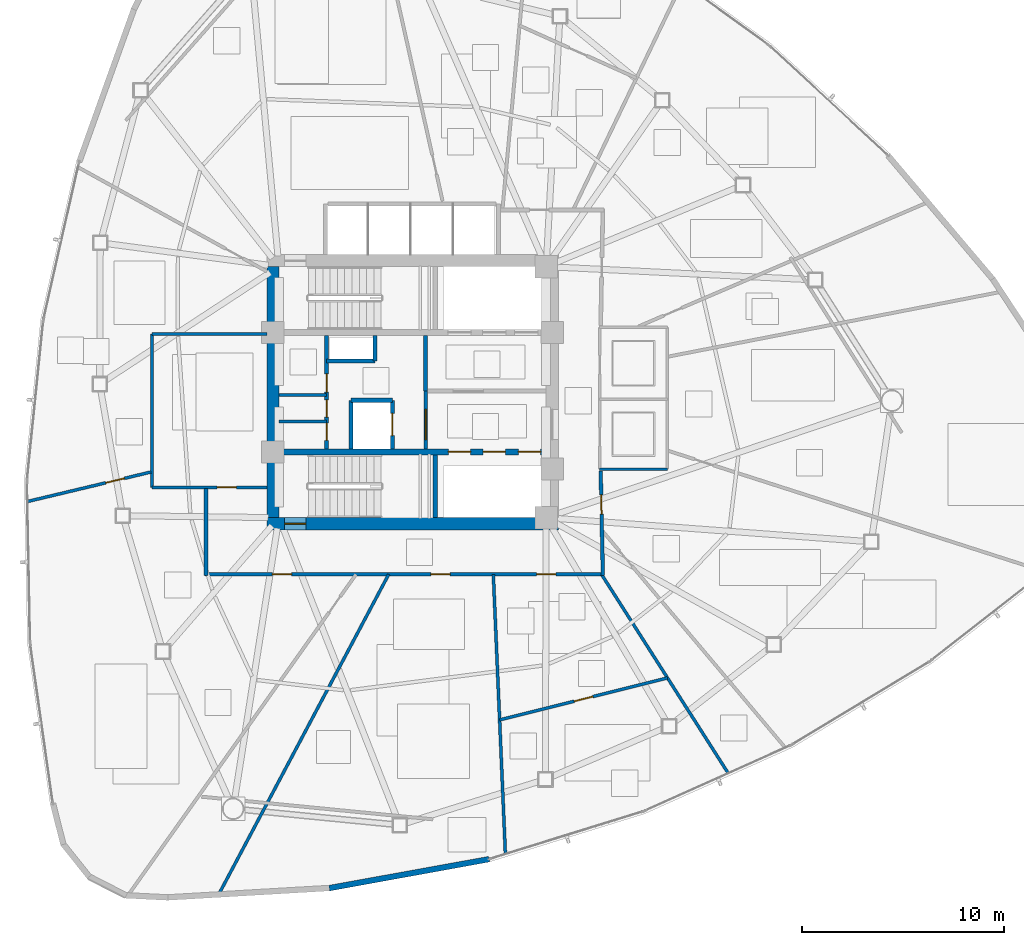
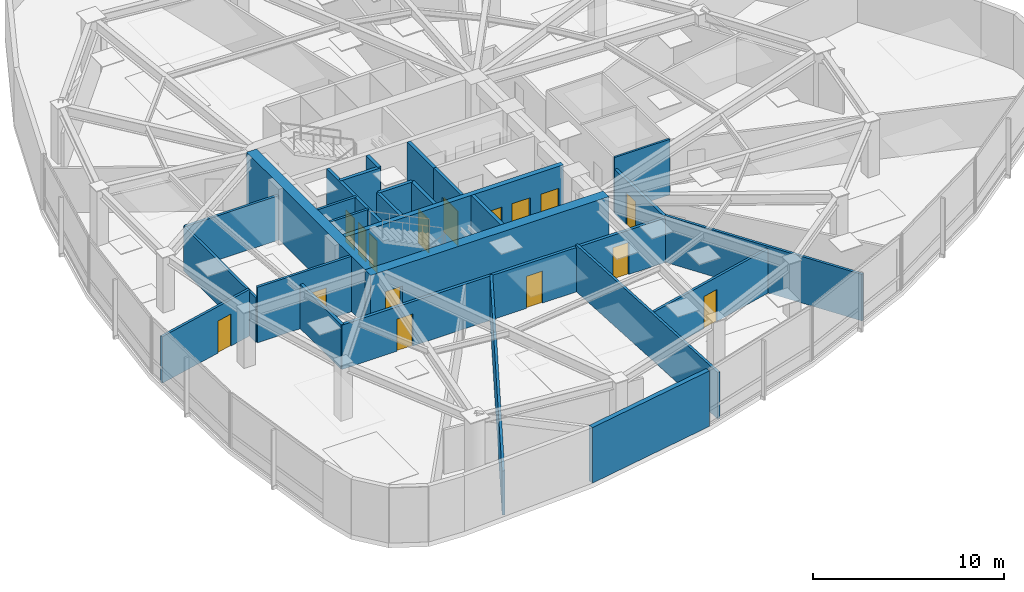
# One storey, part 11 of 17: 27 walls, 16 doors, 16 openings.
"""IFC4 building model written with IfcOpenShell, lengths in metres."""

from ifc_helpers import new_model, si_unit, direction, frame, frame_2d, origin, place, context, subcontext, project, spatial, rectangle, extrude, material, layer, layer_set, type_object, element, fill, save


model = new_model("IFC4")

# Units and contexts
model_context = context("Model", 3, precision=1e-05, world=origin(), true_north=direction((0.0, 1.0)))
body_context = subcontext(model_context, "Body", "Model", "MODEL_VIEW")
ifc_project = project(units=[si_unit("LENGTHUNIT", "METRE"), si_unit("AREAUNIT", "SQUARE_METRE"), si_unit("VOLUMEUNIT", "CUBIC_METRE"), si_unit("PLANEANGLEUNIT", "RADIAN"), si_unit("MASSUNIT", "GRAM", prefix="KILO")], contexts=[model_context])

# Site, building, storey
site_placement = place(None, origin())
site = spatial("IfcSite", under=ifc_project, at=site_placement, CompositionType="ELEMENT")
building_placement = place(site_placement, origin())
building = spatial("IfcBuilding", under=site, at=building_placement, Name="Tavelor Broadcast Tower", CompositionType="ELEMENT")
storey_placement = place(building_placement, frame((0.0, 0.0, 119.449951171875)))
storey = spatial("IfcBuildingStorey", under=building, at=storey_placement, Name="L27", CompositionType="ELEMENT", Elevation=119.449951171875)

# Wall, opening, door
ifc_material_1 = material(Name="Concrete C60/75", Category="concrete")
ifc_layer_1 = layer(ifc_material_1, 0.60009765625)
ifc_layer_set_1 = layer_set([ifc_layer_1], Name="Concrete C60/75")
wall_type_1 = type_object("IfcWallType", Name="Core Shear Wall 600 mm", PredefinedType="SHEAR", material=ifc_layer_set_1)
wall_1_placement = place(storey_placement, frame((42.800048828125, 38.5, 0.0), z_axis=(0.0, 0.0, 1.0), x_axis=(1.0, 0.0, 0.0)))
wall_1 = element("IfcWall", 1, at=wall_1_placement, inside=storey, type_object=wall_type_1, Name="L27 Central Core Shear Wall S", PredefinedType="SHEAR", context=body_context, shape_type="SweptSolid", body=[
    extrude(rectangle(XDim=14.39990234375, YDim=0.60009765625, at=frame_2d((7.199951171875, 0.0))), origin(), (0.0, 0.0, 1.0), 3.550048828125),
])
opening_1_placement = place(wall_1_placement, frame((0.8798828125, 0.0, 0.0)))
opening_1 = element("IfcOpeningElement", 2, at=opening_1_placement, cuts=wall_1, Name="Opening DR11", PredefinedType="OPENING", context=body_context, shape_type="SweptSolid", body=[
    extrude(rectangle(XDim=1.050048828125, YDim=2.199951171875, at=frame_2d((0.52490234375, 1.10009765625))), frame((0.0, 0.31005859375, 0.0), z_axis=(0.0, -1.0, 0.0), x_axis=(1.0, 0.0, 0.0)), (0.0, 0.0, 1.0), 0.6201171875),
])
ifc_material_2 = material(Name="Steel S355", Category="steel")
door_type_1 = type_object("IfcDoorType", Name="Stair Core Fire Escape Door 1050x2200", OperationType="NOTDEFINED", PredefinedType="DOOR", material=ifc_material_2)
door_1_placement = place(opening_1_placement, origin())
door_1 = element("IfcDoor", 3, at=door_1_placement, inside=storey, type_object=door_type_1, Name="L27 Stair ST2 Protected Exit Door", OperationType="SINGLE_SWING_RIGHT", OverallHeight=2.199951171875, OverallWidth=1.050048828125, PredefinedType="DOOR", context=body_context, shape_type="SweptSolid", body=[
    extrude(rectangle(XDim=1.050048828125, YDim=2.199951171875, at=frame_2d((0.52490234375, 1.10009765625))), frame((0.0, 0.02490234375, 0.0), z_axis=(0.0, -1.0, 0.0), x_axis=(1.0, 0.0, 0.0)), (0.0, 0.0, 1.0), 0.050048828125),
])
fill(opening_1, door_1)

# Wall
wall_2_placement = place(storey_placement, frame((43.10009765625, 38.800048828125, 0.0), z_axis=(0.0, 0.0, 1.0), x_axis=(0.0, 1.0, 0.0)))
element("IfcWall", 4, at=wall_2_placement, inside=storey, type_object=wall_type_1, Name="L27 Central Core Shear Wall W", PredefinedType="SHEAR", context=body_context, shape_type="SweptSolid", body=[
    extrude(rectangle(XDim=12.39990234375, YDim=0.60009765625, at=frame_2d((6.199951171875, 0.0))), origin(), (0.0, 0.0, 1.0), 3.550048828125),
])

# Wall, openings, doors
ifc_layer_2 = layer(ifc_material_1, 0.300048828125)
ifc_layer_set_2 = layer_set([ifc_layer_2], Name="Concrete C60/75")
wall_type_2 = type_object("IfcWallType", Name="Core Spine Shear Wall 300 mm C60", PredefinedType="SHEAR", material=ifc_layer_set_2)
wall_3_placement = place(storey_placement, frame((43.39990234375, 42.050048828125, 0.0), z_axis=(0.0, 0.0, 1.0), x_axis=(1.0, 0.0, 0.0)))
wall_3 = element("IfcWall", 5, at=wall_3_placement, inside=storey, type_object=wall_type_2, Name="L27 Central Core Shear Wall SP2", PredefinedType="SHEAR", context=body_context, shape_type="SweptSolid", body=[
    extrude(rectangle(XDim=13.2001953125, YDim=0.300048828125, at=frame_2d((6.60009765625, 0.0))), origin(), (0.0, 0.0, 1.0), 3.550048828125),
])
opening_2_placement = place(wall_3_placement, frame((8.3701171875, 0.0, 0.0)))
opening_2 = element("IfcOpeningElement", 6, at=opening_2_placement, cuts=wall_3, Name="Opening LD01", PredefinedType="OPENING", context=body_context, shape_type="SweptSolid", body=[
    extrude(rectangle(XDim=1.10009765625, YDim=2.14990234375, at=frame_2d((0.550048828125, 1.074951171875))), frame((0.0, 0.16015625, 0.0), z_axis=(0.0, -1.0, 0.0), x_axis=(1.0, 0.0, 0.0)), (0.0, 0.0, 1.0), 0.320068359375),
])
opening_3_placement = place(wall_3_placement, frame((10.090087890625, 0.0, 0.0)))
opening_3 = element("IfcOpeningElement", 7, at=opening_3_placement, cuts=wall_3, Name="Opening LD01", PredefinedType="OPENING", context=body_context, shape_type="SweptSolid", body=[
    extrude(rectangle(XDim=1.10009765625, YDim=2.14990234375, at=frame_2d((0.550048828125, 1.074951171875))), frame((0.0, 0.16015625, 0.0), z_axis=(0.0, -1.0, 0.0), x_axis=(1.0, 0.0, 0.0)), (0.0, 0.0, 1.0), 0.320068359375),
])
opening_4_placement = place(wall_3_placement, frame((11.830078125, 0.0, 0.0)))
opening_4 = element("IfcOpeningElement", 8, at=opening_4_placement, cuts=wall_3, Name="Opening LD01", PredefinedType="OPENING", context=body_context, shape_type="SweptSolid", body=[
    extrude(rectangle(XDim=1.10009765625, YDim=2.14990234375, at=frame_2d((0.550048828125, 1.074951171875))), frame((0.0, 0.16015625, 0.0), z_axis=(0.0, -1.0, 0.0), x_axis=(1.0, 0.0, 0.0)), (0.0, 0.0, 1.0), 0.320068359375),
])
ifc_material_3 = material(Name="Brushed Stainless Steel", Category="steel")
door_type_2 = type_object("IfcDoorType", Name="Passenger Lift Sliding Landing Door 1100x2150", OperationType="NOTDEFINED", PredefinedType="DOOR", material=ifc_material_3)
door_2_placement = place(opening_2_placement, origin())
door_2 = element("IfcDoor", 9, at=door_2_placement, inside=storey, type_object=door_type_2, Name="L27 Lift PLM1 Sliding Landing Door", OperationType="SLIDING_TO_LEFT", OverallHeight=2.14990234375, OverallWidth=1.10009765625, PredefinedType="DOOR", context=body_context, shape_type="SweptSolid", body=[
    extrude(rectangle(XDim=1.10009765625, YDim=2.14990234375, at=frame_2d((0.550048828125, 1.074951171875))), frame((0.0, 0.02490234375, 0.0), z_axis=(0.0, -1.0, 0.0), x_axis=(1.0, 0.0, 0.0)), (0.0, 0.0, 1.0), 0.050048828125),
])
fill(opening_2, door_2)
door_3_placement = place(opening_3_placement, origin())
door_3 = element("IfcDoor", 10, at=door_3_placement, inside=storey, type_object=door_type_2, Name="L27 Lift PLM2 Sliding Landing Door", OperationType="SLIDING_TO_LEFT", OverallHeight=2.14990234375, OverallWidth=1.10009765625, PredefinedType="DOOR", context=body_context, shape_type="SweptSolid", body=[
    extrude(rectangle(XDim=1.10009765625, YDim=2.14990234375, at=frame_2d((0.550048828125, 1.074951171875))), frame((0.0, 0.02490234375, 0.0), z_axis=(0.0, -1.0, 0.0), x_axis=(1.0, 0.0, 0.0)), (0.0, 0.0, 1.0), 0.050048828125),
])
fill(opening_3, door_3)
door_4_placement = place(opening_4_placement, origin())
door_4 = element("IfcDoor", 11, at=door_4_placement, inside=storey, type_object=door_type_2, Name="L27 Lift PLM3 Sliding Landing Door", OperationType="SLIDING_TO_LEFT", OverallHeight=2.14990234375, OverallWidth=1.10009765625, PredefinedType="DOOR", context=body_context, shape_type="SweptSolid", body=[
    extrude(rectangle(XDim=1.10009765625, YDim=2.14990234375, at=frame_2d((0.550048828125, 1.074951171875))), frame((0.0, 0.02490234375, 0.0), z_axis=(0.0, -1.0, 0.0), x_axis=(1.0, 0.0, 0.0)), (0.0, 0.0, 1.0), 0.050048828125),
])
fill(opening_4, door_4)

# Wall, opening, door
ifc_material_4 = material(Name="Calcium Silicate Fire Board 180 mm", Category="gypsum")
ifc_layer_3 = layer(ifc_material_4, 0.179931640625)
ifc_layer_set_3 = layer_set([ifc_layer_3], Name="Calcium Silicate Fire Board 180 mm")
wall_type_3 = type_object("IfcWallType", Name="Fire-Rated Corridor Partition Wall 180 mm", PredefinedType="PARTITIONING", material=ifc_layer_set_3)
wall_4_placement = place(storey_placement, frame((50.64990234375, 42.199951171875, 0.0), z_axis=(0.0, 0.0, 1.0), x_axis=(0.0, 1.0, 0.0)))
wall_4 = element("IfcWall", 12, at=wall_4_placement, inside=storey, type_object=wall_type_3, Name="L27 Core Lobby Zoning Wall", PredefinedType="PARTITIONING", context=body_context, shape_type="SweptSolid", body=[
    extrude(rectangle(XDim=2.85009765625, YDim=0.179931640625, at=frame_2d((1.425048828125, 0.0))), origin(), (0.0, 0.0, 1.0), 3.550048828125),
])
opening_5_placement = place(wall_4_placement, frame((0.449951171875, 0.0, 0.0)))
opening_5 = element("IfcOpeningElement", 13, at=opening_5_placement, cuts=wall_4, Name="Opening DR14", PredefinedType="OPENING", context=body_context, shape_type="SweptSolid", body=[
    extrude(rectangle(XDim=1.5, YDim=2.199951171875, at=frame_2d((0.75, 1.10009765625))), frame((0.0, 0.10009765625, 0.0), z_axis=(0.0, -1.0, 0.0), x_axis=(1.0, 0.0, 0.0)), (0.0, 0.0, 1.0), 0.199951171875),
])
door_type_3 = type_object("IfcDoorType", Name="Firefighting Lobby Double Fire Door 1500x2200", OperationType="NOTDEFINED", PredefinedType="DOOR", material=ifc_material_2)
door_5_placement = place(opening_5_placement, origin())
door_5 = element("IfcDoor", 14, at=door_5_placement, inside=storey, type_object=door_type_3, Name="L27 Core West Lobby Double Fire Door", OperationType="SINGLE_SWING_RIGHT", OverallHeight=2.199951171875, OverallWidth=1.5, PredefinedType="DOOR", context=body_context, shape_type="SweptSolid", body=[
    extrude(rectangle(XDim=1.5, YDim=2.199951171875, at=frame_2d((0.75, 1.10009765625))), frame((0.0, 0.02490234375, 0.0), z_axis=(0.0, -1.0, 0.0), x_axis=(1.0, 0.0, 0.0)), (0.0, 0.0, 1.0), 0.050048828125),
])
fill(opening_5, door_5)

# Wall, openings, doors
wall_5_placement = place(storey_placement, frame((45.75, 42.199951171875, 0.0), z_axis=(0.0, 0.0, 1.0), x_axis=(0.0, 1.0, 0.0)))
wall_5 = element("IfcWall", 15, at=wall_5_placement, inside=storey, type_object=wall_type_3, Name="L27 Core West Service East Wall", PredefinedType="PARTITIONING", context=body_context, shape_type="SweptSolid", body=[
    extrude(rectangle(XDim=5.60009765625, YDim=0.179931640625, at=frame_2d((2.800048828125, 0.0))), origin(), (0.0, 0.0, 1.0), 3.550048828125),
])
opening_6_placement = place(wall_5_placement, frame((0.419921875, 0.0, 0.0)))
opening_6 = element("IfcOpeningElement", 16, at=opening_6_placement, cuts=wall_5, Name="Opening DR36", PredefinedType="OPENING", context=body_context, shape_type="SweptSolid", body=[
    extrude(rectangle(XDim=0.85009765625, YDim=2.050048828125, at=frame_2d((0.425048828125, 1.02490234375))), frame((0.0, 0.10009765625, 0.0), z_axis=(0.0, -1.0, 0.0), x_axis=(1.0, 0.0, 0.0)), (0.0, 0.0, 1.0), 0.199951171875),
])
opening_7_placement = place(wall_5_placement, frame((1.570068359375, 0.0, 0.0)))
opening_7 = element("IfcOpeningElement", 17, at=opening_7_placement, cuts=wall_5, Name="Opening DR36", PredefinedType="OPENING", context=body_context, shape_type="SweptSolid", body=[
    extrude(rectangle(XDim=0.85009765625, YDim=2.050048828125, at=frame_2d((0.425048828125, 1.02490234375))), frame((0.0, 0.10009765625, 0.0), z_axis=(0.0, -1.0, 0.0), x_axis=(1.0, 0.0, 0.0)), (0.0, 0.0, 1.0), 0.199951171875),
])
opening_8_placement = place(wall_5_placement, frame((2.800048828125, 0.0, 0.0)))
opening_8 = element("IfcOpeningElement", 18, at=opening_8_placement, cuts=wall_5, Name="Opening DR32", PredefinedType="OPENING", context=body_context, shape_type="SweptSolid", body=[
    extrude(rectangle(XDim=0.89990234375, YDim=2.050048828125, at=frame_2d((0.449951171875, 1.02490234375))), frame((0.0, 0.10009765625, 0.0), z_axis=(0.0, -1.0, 0.0), x_axis=(1.0, 0.0, 0.0)), (0.0, 0.0, 1.0), 0.199951171875),
])
ifc_material_5 = material(Name="Timber Solid Core Hardwood", Category="wood")
door_type_4 = type_object("IfcDoorType", Name="Accessible Washroom Door 900x2050", OperationType="NOTDEFINED", PredefinedType="DOOR", material=ifc_material_5)
door_6_placement = place(opening_8_placement, origin())
door_6 = element("IfcDoor", 19, at=door_6_placement, inside=storey, type_object=door_type_4, Name="L27 Core Accessible WC Door", OperationType="SINGLE_SWING_LEFT", OverallHeight=2.050048828125, OverallWidth=0.89990234375, PredefinedType="DOOR", context=body_context, shape_type="SweptSolid", body=[
    extrude(rectangle(XDim=0.89990234375, YDim=2.050048828125, at=frame_2d((0.449951171875, 1.02490234375))), frame((0.0, 0.02490234375, 0.0), z_axis=(0.0, -1.0, 0.0), x_axis=(1.0, 0.0, 0.0)), (0.0, 0.0, 1.0), 0.050048828125),
])
fill(opening_8, door_6)
door_type_5 = type_object("IfcDoorType", Name="Service Room Fire Door 850x2050", OperationType="NOTDEFINED", PredefinedType="DOOR", material=ifc_material_2)
door_7_placement = place(opening_6_placement, origin())
door_7 = element("IfcDoor", 20, at=door_7_placement, inside=storey, type_object=door_type_5, Name="L27 Core Medical Room Door", OperationType="SINGLE_SWING_LEFT", OverallHeight=2.050048828125, OverallWidth=0.85009765625, PredefinedType="DOOR", context=body_context, shape_type="SweptSolid", body=[
    extrude(rectangle(XDim=0.85009765625, YDim=2.050048828125, at=frame_2d((0.425048828125, 1.02490234375))), frame((0.0, 0.02490234375, 0.0), z_axis=(0.0, -1.0, 0.0), x_axis=(1.0, 0.0, 0.0)), (0.0, 0.0, 1.0), 0.050048828125),
])
fill(opening_6, door_7)
door_8_placement = place(opening_7_placement, origin())
door_8 = element("IfcDoor", 21, at=door_8_placement, inside=storey, type_object=door_type_5, Name="L27 Core Copy Room Door", OperationType="SINGLE_SWING_RIGHT", OverallHeight=2.050048828125, OverallWidth=0.85009765625, PredefinedType="DOOR", context=body_context, shape_type="SweptSolid", body=[
    extrude(rectangle(XDim=0.85009765625, YDim=2.050048828125, at=frame_2d((0.425048828125, 1.02490234375))), frame((0.0, 0.02490234375, 0.0), z_axis=(0.0, -1.0, 0.0), x_axis=(1.0, 0.0, 0.0)), (0.0, 0.0, 1.0), 0.050048828125),
])
fill(opening_7, door_8)

# Wall, opening, door
wall_6_placement = place(storey_placement, frame((59.291015625, 41.10009765625, 0.0), z_axis=(0.0, 0.0, 1.0), x_axis=(0.021374589398, -0.999771537366, 0.0)))
wall_6 = element("IfcWall", 22, at=wall_6_placement, inside=storey, type_object=wall_type_3, Name="L27 Corridor Compartment Wall 03", PredefinedType="PARTITIONING", context=body_context, shape_type="SweptSolid", body=[
    extrude(rectangle(XDim=5.1513671875, YDim=0.179931640625, at=frame_2d((2.57568359375, 0.0))), origin(), (0.0, 0.0, 1.0), 2.8349609375),
])
opening_9_placement = place(wall_6_placement, frame((1.17529296875, 0.0, 0.0)))
opening_9 = element("IfcOpeningElement", 23, at=opening_9_placement, cuts=wall_6, Name="Opening DR18", PredefinedType="OPENING", context=body_context, shape_type="SweptSolid", body=[
    extrude(rectangle(XDim=0.949951171875, YDim=2.050048828125, at=frame_2d((0.47509765625, 1.02490234375))), frame((0.0, 0.10009765625, 0.0), z_axis=(0.0, -1.0, 0.0), x_axis=(1.0, 0.0, 0.0)), (0.0, 0.0, 1.0), 0.199951171875),
])
door_type_6 = type_object("IfcDoorType", Name="Corridor Rated Compartment Door 950x2050", OperationType="NOTDEFINED", PredefinedType="DOOR", material=ifc_material_5)
door_9_placement = place(opening_9_placement, origin())
door_9 = element("IfcDoor", 24, at=door_9_placement, inside=storey, type_object=door_type_6, Name="L27 International Bureau Office Door R0", OperationType="SINGLE_SWING_RIGHT", OverallHeight=2.050048828125, OverallWidth=0.949951171875, PredefinedType="DOOR", context=body_context, shape_type="SweptSolid", body=[
    extrude(rectangle(XDim=0.949951171875, YDim=2.050048828125, at=frame_2d((0.47509765625, 1.02490234375))), frame((0.0, 0.02490234375, 0.0), z_axis=(0.0, -1.0, 0.0), x_axis=(1.0, 0.0, 0.0)), (0.0, 0.0, 1.0), 0.050048828125),
])
fill(opening_9, door_9)

# Wall, openings, doors
wall_7_placement = place(storey_placement, frame((59.449951171875, 36.0, 0.0), z_axis=(0.0, 0.0, 1.0), x_axis=(-1.0, 0.0, 0.0)))
wall_7 = element("IfcWall", 25, at=wall_7_placement, inside=storey, type_object=wall_type_3, Name="L27 Corridor Compartment Wall 04", PredefinedType="PARTITIONING", context=body_context, shape_type="SweptSolid", body=[
    extrude(rectangle(XDim=19.699951171875, YDim=0.179931640625, at=frame_2d((9.85009765625, 0.0))), origin(), (0.0, 0.0, 1.0), 2.8349609375),
])
opening_10_placement = place(wall_7_placement, frame((2.37109375, 0.0, 0.0)))
opening_10 = element("IfcOpeningElement", 26, at=opening_10_placement, cuts=wall_7, Name="Opening DR18", PredefinedType="OPENING", context=body_context, shape_type="SweptSolid", body=[
    extrude(rectangle(XDim=0.949951171875, YDim=2.050048828125, at=frame_2d((0.47509765625, 1.02490234375))), frame((0.0, 0.10009765625, 0.0), z_axis=(0.0, -1.0, 0.0), x_axis=(1.0, 0.0, 0.0)), (0.0, 0.0, 1.0), 0.199951171875),
])
opening_11_placement = place(wall_7_placement, frame((7.59130859375, 0.0, 0.0)))
opening_11 = element("IfcOpeningElement", 27, at=opening_11_placement, cuts=wall_7, Name="Opening DR18", PredefinedType="OPENING", context=body_context, shape_type="SweptSolid", body=[
    extrude(rectangle(XDim=0.949951171875, YDim=2.050048828125, at=frame_2d((0.47509765625, 1.02490234375))), frame((0.0, 0.10009765625, 0.0), z_axis=(0.0, -1.0, 0.0), x_axis=(1.0, 0.0, 0.0)), (0.0, 0.0, 1.0), 0.199951171875),
])
opening_12_placement = place(wall_7_placement, frame((15.426513671875, 0.0, 0.0)))
opening_12 = element("IfcOpeningElement", 28, at=opening_12_placement, cuts=wall_7, Name="Opening DR18", PredefinedType="OPENING", context=body_context, shape_type="SweptSolid", body=[
    extrude(rectangle(XDim=0.949951171875, YDim=2.050048828125, at=frame_2d((0.47509765625, 1.02490234375))), frame((0.0, 0.10009765625, 0.0), z_axis=(0.0, -1.0, 0.0), x_axis=(1.0, 0.0, 0.0)), (0.0, 0.0, 1.0), 0.199951171875),
])
door_10_placement = place(opening_10_placement, origin())
door_10 = element("IfcDoor", 29, at=door_10_placement, inside=storey, type_object=door_type_6, Name="L27 Sound Foley Studio Door R13", OperationType="SINGLE_SWING_LEFT", OverallHeight=2.050048828125, OverallWidth=0.949951171875, PredefinedType="DOOR", context=body_context, shape_type="SweptSolid", body=[
    extrude(rectangle(XDim=0.949951171875, YDim=2.050048828125, at=frame_2d((0.47509765625, 1.02490234375))), frame((0.0, 0.02490234375, 0.0), z_axis=(0.0, -1.0, 0.0), x_axis=(1.0, 0.0, 0.0)), (0.0, 0.0, 1.0), 0.050048828125),
])
fill(opening_10, door_10)
door_11_placement = place(opening_11_placement, origin())
door_11 = element("IfcDoor", 30, at=door_11_placement, inside=storey, type_object=door_type_6, Name="L27 Broadcast Editorial Office Door R3", OperationType="SINGLE_SWING_RIGHT", OverallHeight=2.050048828125, OverallWidth=0.949951171875, PredefinedType="DOOR", context=body_context, shape_type="SweptSolid", body=[
    extrude(rectangle(XDim=0.949951171875, YDim=2.050048828125, at=frame_2d((0.47509765625, 1.02490234375))), frame((0.0, 0.02490234375, 0.0), z_axis=(0.0, -1.0, 0.0), x_axis=(1.0, 0.0, 0.0)), (0.0, 0.0, 1.0), 0.050048828125),
])
fill(opening_11, door_11)
door_12_placement = place(opening_12_placement, origin())
door_12 = element("IfcDoor", 31, at=door_12_placement, inside=storey, type_object=door_type_6, Name="L27 Syndication Legal Office Door R5", OperationType="SINGLE_SWING_LEFT", OverallHeight=2.050048828125, OverallWidth=0.949951171875, PredefinedType="DOOR", context=body_context, shape_type="SweptSolid", body=[
    extrude(rectangle(XDim=0.949951171875, YDim=2.050048828125, at=frame_2d((0.47509765625, 1.02490234375))), frame((0.0, 0.02490234375, 0.0), z_axis=(0.0, -1.0, 0.0), x_axis=(1.0, 0.0, 0.0)), (0.0, 0.0, 1.0), 0.050048828125),
])
fill(opening_12, door_12)

# Walls
wall_8_placement = place(storey_placement, frame((39.800048828125, 35.949951171875, 0.0), z_axis=(0.0, 0.0, 1.0), x_axis=(0.0, 1.0, 0.0)))
element("IfcWall", 32, at=wall_8_placement, inside=storey, type_object=wall_type_3, Name="L27 Corridor Compartment Wall 05", PredefinedType="PARTITIONING", context=body_context, shape_type="SweptSolid", body=[
    extrude(rectangle(XDim=4.300048828125, YDim=0.179931640625, at=frame_2d((2.14990234375, 0.0))), origin(), (0.0, 0.0, 1.0), 2.8349609375),
])
ifc_material_6 = material(Name="Precast Concrete C40/50", Category="concrete")
ifc_layer_4 = layer(ifc_material_6, 0.280029296875)
ifc_layer_set_4 = layer_set([ifc_layer_4], Name="Precast Concrete C40/50")
wall_type_4 = type_object("IfcWallType", Name="Insulated Precast Terracotta Facade Wall 280 mm", PredefinedType="STANDARD", material=ifc_layer_set_4)
wall_9_placement = place(storey_placement, frame((45.88525390625, 20.502685546875, 0.0), z_axis=(0.0, 0.0, 1.0), x_axis=(0.983967624079, 0.178347174812, 0.0)))
element("IfcWall", 33, at=wall_9_placement, inside=storey, type_object=wall_type_4, Name="L27 Rounded Corner Structural Cladding Pier 16", PredefinedType="STANDARD", context=body_context, shape_type="SweptSolid", body=[
    extrude(rectangle(XDim=8.023193359375, YDim=0.280029296875, at=frame_2d((4.01171875, 0.0))), origin(), (0.0, 0.0, 1.0), 3.550048828125),
])
ifc_material_7 = material(Name="Gypsum Acoustic Plasterboard 150 mm", Category="gypsum")
ifc_layer_5 = layer(ifc_material_7, 0.14990234375)
ifc_layer_set_5 = layer_set([ifc_layer_5], Name="Gypsum Acoustic Plasterboard 150 mm")
wall_type_5 = type_object("IfcWallType", Name="Interior Acoustic Partition Wall 150 mm", PredefinedType="PARTITIONING", material=ifc_layer_set_5)
for number, where, z_axis, x_axis, name in (
    (34, (43.39990234375, 43.550048828125, 0.0), (0.0, 0.0, 1.0), (1.0, 0.0, 0.0), "L27 Core Split Wall B1"),
    (35, (43.39990234375, 44.85009765625, 0.0), (0.0, 0.0, 1.0), (1.0, 0.0, 0.0), "L27 Core Split Wall B2"),
):
    element("IfcWall", number, at=place(storey_placement, frame(where, z_axis=z_axis, x_axis=x_axis)), inside=storey, type_object=wall_type_5, Name=name, PredefinedType="PARTITIONING", context=body_context, shape_type="SweptSolid", body=[
        extrude(rectangle(XDim=2.35009765625, YDim=0.14990234375, at=frame_2d((1.175048828125, 0.0))), origin(), (0.0, 0.0, 1.0), 3.550048828125),
    ])

# Wall, opening, door
wall_10_placement = place(storey_placement, frame((37.139892578125, 40.300048828125, 0.0), z_axis=(0.0, 0.0, 1.0), x_axis=(1.0, 0.0, 0.0)))
wall_10 = element("IfcWall", 36, at=wall_10_placement, inside=storey, type_object=wall_type_5, Name="L27 Reclaimed Shaft Pantry South Wall", PredefinedType="PARTITIONING", context=body_context, shape_type="SweptSolid", body=[
    extrude(rectangle(XDim=5.66015625, YDim=0.14990234375, at=frame_2d((2.830078125, 0.0))), origin(), (0.0, 0.0, 1.0), 3.550048828125),
])
opening_13_placement = place(wall_10_placement, frame((3.2099609375, 0.0, 0.0)))
opening_13 = element("IfcOpeningElement", 37, at=opening_13_placement, cuts=wall_10, Name="Opening DR18", PredefinedType="OPENING", context=body_context, shape_type="SweptSolid", body=[
    extrude(rectangle(XDim=0.949951171875, YDim=2.050048828125, at=frame_2d((0.47509765625, 1.02490234375))), frame((0.0, 0.0849609375, 0.0), z_axis=(0.0, -1.0, 0.0), x_axis=(1.0, 0.0, 0.0)), (0.0, 0.0, 1.0), 0.169921875),
])
door_13_placement = place(opening_13_placement, origin())
door_13 = element("IfcDoor", 38, at=door_13_placement, inside=storey, type_object=door_type_6, Name="L27 Broadcast IT Patch and Pantry Door", OperationType="SINGLE_SWING_LEFT", OverallHeight=2.050048828125, OverallWidth=0.949951171875, PredefinedType="DOOR", context=body_context, shape_type="SweptSolid", body=[
    extrude(rectangle(XDim=0.949951171875, YDim=2.050048828125, at=frame_2d((0.47509765625, 1.02490234375))), frame((0.0, 0.02490234375, 0.0), z_axis=(0.0, -1.0, 0.0), x_axis=(1.0, 0.0, 0.0)), (0.0, 0.0, 1.0), 0.050048828125),
])
fill(opening_13, door_13)

# Walls
wall_11_placement = place(storey_placement, frame((37.139892578125, 40.300048828125, 0.0), z_axis=(0.0, 0.0, 1.0), x_axis=(0.0, 1.0, 0.0)))
element("IfcWall", 39, at=wall_11_placement, inside=storey, type_object=wall_type_5, Name="L27 Reclaimed Shaft Pantry West Wall", PredefinedType="PARTITIONING", context=body_context, shape_type="SweptSolid", body=[
    extrude(rectangle(XDim=7.579833984375, YDim=0.14990234375, at=frame_2d((3.7900390625, 0.0))), origin(), (0.0, 0.0, 1.0), 2.8349609375),
])
wall_12_placement = place(storey_placement, frame((37.139892578125, 47.8798828125, 0.0), z_axis=(0.0, 0.0, 1.0), x_axis=(1.0, 0.0, 0.0)))
element("IfcWall", 40, at=wall_12_placement, inside=storey, type_object=wall_type_5, Name="L27 Reclaimed Shaft Pantry North Wall", PredefinedType="PARTITIONING", context=body_context, shape_type="SweptSolid", body=[
    extrude(rectangle(XDim=5.66015625, YDim=0.14990234375, at=frame_2d((2.830078125, 0.0))), origin(), (0.0, 0.0, 1.0), 2.8349609375),
])
wall_13_placement = place(storey_placement, frame((59.33349609375, 36.0, 0.0), z_axis=(0.0, 0.0, 1.0), x_axis=(0.537304943351, -0.843388047017, 0.0)))
element("IfcWall", 41, at=wall_13_placement, inside=storey, type_object=wall_type_5, Name="L27 Radial Compartment Wall 01", PredefinedType="PARTITIONING", context=body_context, shape_type="SweptSolid", body=[
    extrude(rectangle(XDim=11.658935546875, YDim=0.14990234375, at=frame_2d((5.82958984375, 0.0))), origin(), (0.0, 0.0, 1.0), 2.97509765625),
])

# Wall, opening, door
wall_14_placement = place(storey_placement, frame((37.080078125, 41.055419921875, 0.0), z_axis=(0.0, 0.0, 1.0), x_axis=(-0.972661487663, -0.23222754018, 0.0)))
wall_14 = element("IfcWall", 42, at=wall_14_placement, inside=storey, type_object=wall_type_5, Name="L27 Radial Compartment Wall 10", PredefinedType="PARTITIONING", context=body_context, shape_type="SweptSolid", body=[
    extrude(rectangle(XDim=6.288818359375, YDim=0.14990234375, at=frame_2d((3.14453125, 0.0))), origin(), (0.0, 0.0, 1.0), 2.97509765625),
])
opening_14_placement = place(wall_14_placement, frame((1.35009765625, 0.0, 0.0)))
opening_14 = element("IfcOpeningElement", 43, at=opening_14_placement, cuts=wall_14, Name="Opening DR18", PredefinedType="OPENING", context=body_context, shape_type="SweptSolid", body=[
    extrude(rectangle(XDim=0.949951171875, YDim=2.050048828125, at=frame_2d((0.47509765625, 1.02490234375))), frame((0.0, 0.0849609375, 0.0), z_axis=(0.0, -1.0, 0.0), x_axis=(1.0, 0.0, 0.0)), (0.0, 0.0, 1.0), 0.169921875),
])
door_14_placement = place(opening_14_placement, origin())
door_14 = element("IfcDoor", 44, at=door_14_placement, inside=storey, type_object=door_type_6, Name="L27 Suite Connecting Door 6", OperationType="SINGLE_SWING_RIGHT", OverallHeight=2.050048828125, OverallWidth=0.949951171875, PredefinedType="DOOR", context=body_context, shape_type="SweptSolid", body=[
    extrude(rectangle(XDim=0.949951171875, YDim=2.050048828125, at=frame_2d((0.47509765625, 1.02490234375))), frame((0.0, 0.02490234375, 0.0), z_axis=(0.0, -1.0, 0.0), x_axis=(1.0, 0.0, 0.0)), (0.0, 0.0, 1.0), 0.050048828125),
])
fill(opening_14, door_14)

# Walls
wall_15_placement = place(storey_placement, frame((48.820556640625, 36.0, 0.0), z_axis=(0.0, 0.0, 1.0), x_axis=(-0.469023705246, -0.883185577281, 0.0)))
element("IfcWall", 45, at=wall_15_placement, inside=storey, type_object=wall_type_5, Name="L27 Radial Compartment Wall 12", PredefinedType="PARTITIONING", context=body_context, shape_type="SweptSolid", body=[
    extrude(rectangle(XDim=17.916015625, YDim=0.14990234375, at=frame_2d((8.9580078125, 0.0))), origin(), (0.0, 0.0, 1.0), 2.8349609375),
])
wall_16_placement = place(storey_placement, frame((53.989013671875, 36.0, 0.0), z_axis=(0.0, 0.0, 1.0), x_axis=(0.043167746728, -0.999067838359, 0.0)))
element("IfcWall", 46, at=wall_16_placement, inside=storey, type_object=wall_type_5, Name="L27 Radial Compartment Wall 13", PredefinedType="PARTITIONING", context=body_context, shape_type="SweptSolid", body=[
    extrude(rectangle(XDim=13.83935546875, YDim=0.14990234375, at=frame_2d((6.919677734375, 0.0))), origin(), (0.0, 0.0, 1.0), 2.97509765625),
])

# Wall, opening, door
wall_17_placement = place(storey_placement, frame((54.2998046875, 28.810302734375, 0.0), z_axis=(0.0, 0.0, 1.0), x_axis=(0.970036555703, 0.242959010124, 0.0)))
wall_17 = element("IfcWall", 47, at=wall_17_placement, inside=storey, type_object=wall_type_5, Name="L27 Suite Chord Partition Wall 01", PredefinedType="PARTITIONING", context=body_context, shape_type="SweptSolid", body=[
    extrude(rectangle(XDim=8.54736328125, YDim=0.14990234375, at=frame_2d((4.273681640625, 0.0))), origin(), (0.0, 0.0, 1.0), 2.8349609375),
])
opening_15_placement = place(wall_17_placement, frame((3.798583984375, 0.0, 0.0)))
opening_15 = element("IfcOpeningElement", 48, at=opening_15_placement, cuts=wall_17, Name="Opening DR23", PredefinedType="OPENING", context=body_context, shape_type="SweptSolid", body=[
    extrude(rectangle(XDim=0.949951171875, YDim=2.050048828125, at=frame_2d((0.47509765625, 1.02490234375))), frame((0.0, 0.0849609375, 0.0), z_axis=(0.0, -1.0, 0.0), x_axis=(1.0, 0.0, 0.0)), (0.0, 0.0, 1.0), 0.169921875),
])
door_type_7 = type_object("IfcDoorType", Name="Editorial Room Acoustic Door 950x2050", OperationType="NOTDEFINED", PredefinedType="DOOR", material=ifc_material_5)
door_15_placement = place(opening_15_placement, origin())
door_15 = element("IfcDoor", 49, at=door_15_placement, inside=storey, type_object=door_type_7, Name="L27 Outer Suite Partition Door 1", OperationType="SINGLE_SWING_RIGHT", OverallHeight=2.050048828125, OverallWidth=0.949951171875, PredefinedType="DOOR", context=body_context, shape_type="SweptSolid", body=[
    extrude(rectangle(XDim=0.949951171875, YDim=2.050048828125, at=frame_2d((0.47509765625, 1.02490234375))), frame((0.0, 0.02490234375, 0.0), z_axis=(0.0, -1.0, 0.0), x_axis=(1.0, 0.0, 0.0)), (0.0, 0.0, 1.0), 0.050048828125),
])
fill(opening_15, door_15)

ifc_material_8 = material(Name="Concrete Blockwork 200 mm", Category="masonry")
ifc_layer_6 = layer(ifc_material_8, 0.199951171875)
ifc_layer_set_6 = layer_set([ifc_layer_6], Name="Concrete Blockwork 200 mm")
wall_type_6 = type_object("IfcWallType", Name="Lift Hoistway Rated Front Wall 200 mm", PredefinedType="PARTITIONING", material=ifc_layer_set_6)
wall_18_placement = place(storey_placement, frame((49.0, 42.199951171875, 0.0), z_axis=(0.0, 0.0, 1.0), x_axis=(0.0, 1.0, 0.0)))
wall_18 = element("IfcWall", 50, at=wall_18_placement, inside=storey, type_object=wall_type_6, Name="L27 Mid-Rise Lift PLM4 Hoistway Front Wall", PredefinedType="PARTITIONING", context=body_context, shape_type="SweptSolid", body=[
    extrude(rectangle(XDim=2.400146484375, YDim=0.199951171875, at=frame_2d((1.2001953125, 0.0))), origin(), (0.0, 0.0, 1.0), 3.550048828125),
])
opening_16_placement = place(wall_18_placement, frame((0.64990234375, 0.0, 0.0)))
opening_16 = element("IfcOpeningElement", 51, at=opening_16_placement, cuts=wall_18, Name="Opening LD01", PredefinedType="OPENING", context=body_context, shape_type="SweptSolid", body=[
    extrude(rectangle(XDim=1.10009765625, YDim=2.14990234375, at=frame_2d((0.550048828125, 1.074951171875))), frame((0.0, 0.10986328125, 0.0), z_axis=(0.0, -1.0, 0.0), x_axis=(1.0, 0.0, 0.0)), (0.0, 0.0, 1.0), 0.219970703125),
])
door_16_placement = place(opening_16_placement, origin())
door_16 = element("IfcDoor", 52, at=door_16_placement, inside=storey, type_object=door_type_2, Name="L27 Lift PLM4 Sliding Landing Door", OperationType="SLIDING_TO_RIGHT", OverallHeight=2.14990234375, OverallWidth=1.10009765625, PredefinedType="DOOR", context=body_context, shape_type="SweptSolid", body=[
    extrude(rectangle(XDim=1.10009765625, YDim=2.14990234375, at=frame_2d((0.550048828125, 1.074951171875))), frame((0.0, 0.02490234375, 0.0), z_axis=(0.0, -1.0, 0.0), x_axis=(1.0, 0.0, 0.0)), (0.0, 0.0, 1.0), 0.050048828125),
])
fill(opening_16, door_16)

# Walls
ifc_layer_7 = layer(ifc_material_8, 0.199951171875)
ifc_layer_set_7 = layer_set([ifc_layer_7], Name="Concrete Blockwork 200 mm")
wall_type_7 = type_object("IfcWallType", Name="Lift and Riser Shaft Enclosure Wall 200 mm", PredefinedType="PARTITIONING", material=ifc_layer_set_7)
wall_19_placement = place(storey_placement, frame((45.75, 46.550048828125, 0.0), z_axis=(0.0, 0.0, 1.0), x_axis=(1.0, 0.0, 0.0)))
element("IfcWall", 53, at=wall_19_placement, inside=storey, type_object=wall_type_7, Name="L27 Riser Shaft South Wall", PredefinedType="PARTITIONING", context=body_context, shape_type="SweptSolid", body=[
    extrude(rectangle(XDim=2.39990234375, YDim=0.199951171875, at=frame_2d((1.199951171875, 0.0))), origin(), (0.0, 0.0, 1.0), 3.550048828125),
])
wall_20_placement = place(storey_placement, frame((48.14990234375, 46.550048828125, 0.0), z_axis=(0.0, 0.0, 1.0), x_axis=(0.0, 1.0, 0.0)))
element("IfcWall", 54, at=wall_20_placement, inside=storey, type_object=wall_type_7, Name="L27 Riser Shaft East Wall", PredefinedType="PARTITIONING", context=body_context, shape_type="SweptSolid", body=[
    extrude(rectangle(XDim=1.25, YDim=0.199951171875, at=frame_2d((0.625, 0.0))), origin(), (0.0, 0.0, 1.0), 3.550048828125),
])
wall_21_placement = place(storey_placement, frame((46.949951171875, 42.199951171875, 0.0), z_axis=(0.0, 0.0, 1.0), x_axis=(0.0, 1.0, 0.0)))
element("IfcWall", 55, at=wall_21_placement, inside=storey, type_object=wall_type_7, Name="L27 Mid-Rise Lift PLM4 West Wall", PredefinedType="PARTITIONING", context=body_context, shape_type="SweptSolid", body=[
    extrude(rectangle(XDim=2.400146484375, YDim=0.199951171875, at=frame_2d((1.2001953125, 0.0))), origin(), (0.0, 0.0, 1.0), 3.550048828125),
])
wall_22_placement = place(storey_placement, frame((46.949951171875, 44.60009765625, 0.0), z_axis=(0.0, 0.0, 1.0), x_axis=(1.0, 0.0, 0.0)))
element("IfcWall", 56, at=wall_22_placement, inside=storey, type_object=wall_type_7, Name="L27 Mid-Rise Lift PLM4 North Wall", PredefinedType="PARTITIONING", context=body_context, shape_type="SweptSolid", body=[
    extrude(rectangle(XDim=2.050048828125, YDim=0.199951171875, at=frame_2d((1.02490234375, 0.0))), origin(), (0.0, 0.0, 1.0), 3.550048828125),
])
wall_23_placement = place(storey_placement, frame((50.64990234375, 45.050048828125, 0.0), z_axis=(0.0, 0.0, 1.0), x_axis=(0.0, 1.0, 0.0)))
element("IfcWall", 57, at=wall_23_placement, inside=storey, type_object=wall_type_7, Name="L27 Firefighting Lobby West Wall", PredefinedType="PARTITIONING", context=body_context, shape_type="SweptSolid", body=[
    extrude(rectangle(XDim=2.75, YDim=0.199951171875, at=frame_2d((1.375, 0.0))), origin(), (0.0, 0.0, 1.0), 3.550048828125),
])
ifc_material_9 = material(Name="Moisture-Resistant Plasterboard 120 mm", Category="gypsum")
ifc_layer_8 = layer(ifc_material_9, 0.1201171875)
ifc_layer_set_8 = layer_set([ifc_layer_8], Name="Moisture-Resistant Plasterboard 120 mm")
wall_type_8 = type_object("IfcWallType", Name="Moisture-Resistant Wet-Room Partition 120 mm", PredefinedType="PARTITIONING", material=ifc_layer_set_8)
wall_24_placement = place(storey_placement, frame((59.239990234375, 41.199951171875, 0.0), z_axis=(0.0, 0.0, 1.0), x_axis=(1.0, 0.0, 0.0)))
element("IfcWall", 58, at=wall_24_placement, inside=storey, type_object=wall_type_8, Name="L27 Floor Washrooms South Wall", PredefinedType="PARTITIONING", context=body_context, shape_type="SweptSolid", body=[
    extrude(rectangle(XDim=3.340087890625, YDim=0.1201171875, at=frame_2d((1.669921875, 0.0))), origin(), (0.0, 0.0, 1.0), 3.550048828125),
])
ifc_material_10 = material(Name="Concrete C40/50", Category="concrete")
ifc_layer_9 = layer(ifc_material_10, 0.219970703125)
ifc_layer_set_9 = layer_set([ifc_layer_9], Name="Concrete C40/50")
wall_type_9 = type_object("IfcWallType", Name="Structural Stairwell Shear Wall 220 mm", PredefinedType="SHEAR", material=ifc_layer_set_9)
wall_25_placement = place(storey_placement, frame((51.110107421875, 38.800048828125, 0.0), z_axis=(0.0, 0.0, 1.0), x_axis=(0.0, 1.0, 0.0)))
element("IfcWall", 59, at=wall_25_placement, inside=storey, type_object=wall_type_9, Name="L27 Stair ST2 Structural Shaft Wall", PredefinedType="SHEAR", context=body_context, shape_type="SweptSolid", body=[
    extrude(rectangle(XDim=3.099853515625, YDim=0.219970703125, at=frame_2d((1.5498046875, 0.0))), origin(), (0.0, 0.0, 1.0), 3.550048828125),
])

save(model, "model.ifc")
